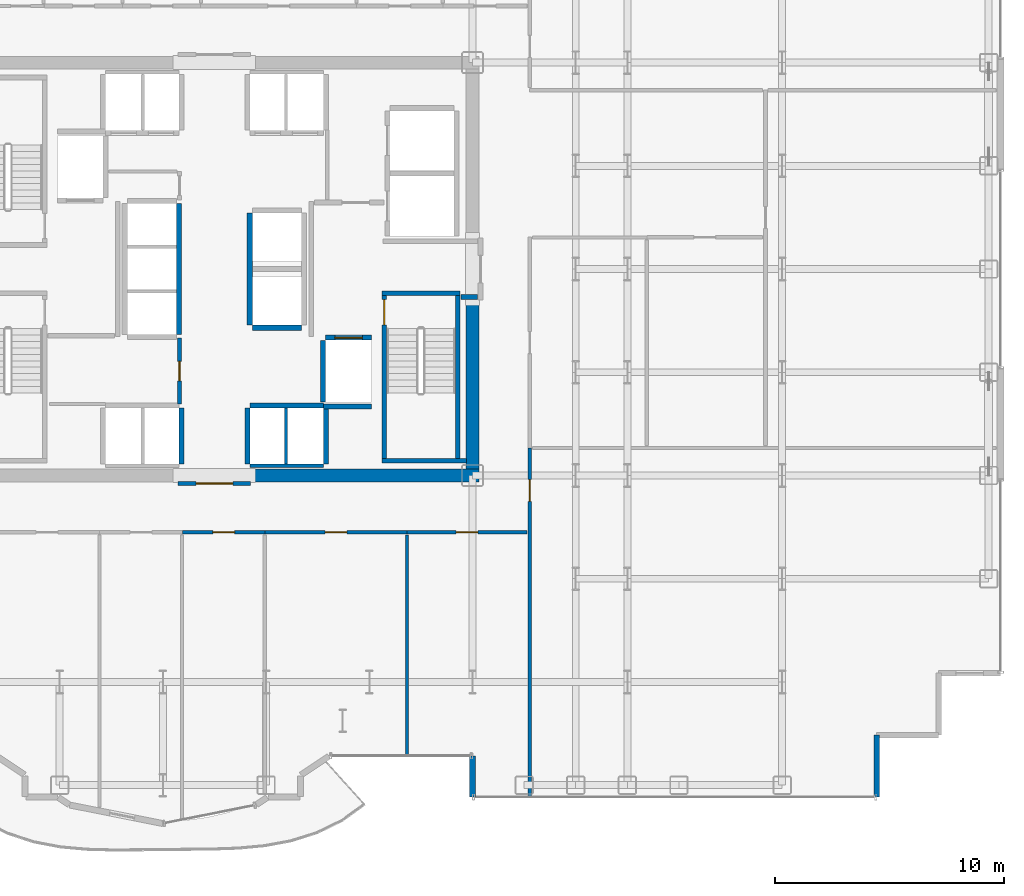
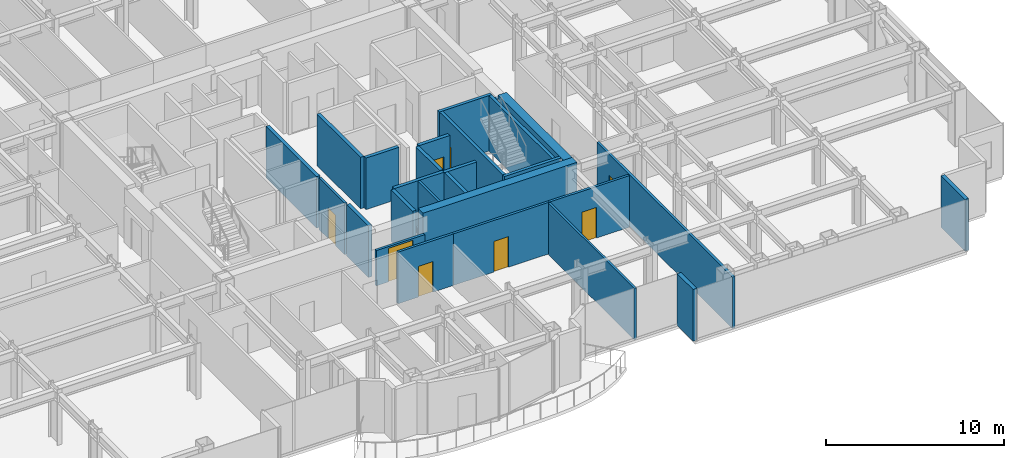
# One storey, part 24 of 29: 28 walls, 8 doors, 8 openings.
"""IFC4 building model written with IfcOpenShell, lengths in metres."""

import ifcopenshell
import ifcopenshell.guid

model = None  # the IFC model being written
_history = None  # IfcOwnerHistory: only IFC2X3 demands one
_inside = {}  # id of a spatial element -> (the spatial element, [elements in it])
_under = {}  # id of a project, library or spatial element -> (it, [spatial elements below it])
_declared = {}  # id of a project -> (the project, [libraries it declares])
_typed = {}  # id of a type object -> (the type object, [elements of that type])
_made_of = {}  # id of a material, layer set ... -> (it, [elements and type objects made of it])


def new_model(schema):
    """Start an empty IFC model of exactly this schema.

    Asked for "IFC4X3", IfcOpenShell would pick the latest addendum, in which some entities
    have other attributes; the version numbers below select the first issue.
    IFC2X3 requires an IfcOwnerHistory on every rooted entity: one is made here for all.
    """
    global model, _history
    if schema == "IFC4X3":
        model = ifcopenshell.file(schema_version=(4, 3, 0, 0))
    else:
        model = ifcopenshell.file(schema=schema)
    _inside.clear()
    _under.clear()
    _declared.clear()
    _typed.clear()
    _made_of.clear()
    _history = None
    if model.schema == "IFC2X3":
        org = make("IfcOrganization", Name="unknown")
        user = make(
            "IfcPersonAndOrganization",
            ThePerson=make("IfcPerson", FamilyName="unknown"),
            TheOrganization=org,
        )
        app = make(
            "IfcApplication",
            ApplicationDeveloper=org,
            Version="unknown",
            ApplicationFullName="unknown",
            ApplicationIdentifier="unknown",
        )
        _history = make(
            "IfcOwnerHistory",
            OwningUser=user,
            OwningApplication=app,
            ChangeAction="ADDED",
            CreationDate=0,
        )
    return model


def make(cls, **values):
    """One entity of the class cls with the attributes given. An attribute that is None is left unset."""
    return model.create_entity(
        cls, **{name: value for name, value in values.items() if value is not None}
    )


def rooted(cls, **values):
    """An entity with a GlobalId (a new one), such as an element, a storey or a relation."""
    return make(cls, GlobalId=ifcopenshell.guid.new(), OwnerHistory=_history, **values)


def si_unit(unit_type, name, prefix=None):
    """IfcSIUnit, for example si_unit("LENGTHUNIT", "METRE", prefix="MILLI")."""
    return make("IfcSIUnit", UnitType=unit_type, Prefix=prefix, Name=name)


def assignment(units):
    """IfcUnitAssignment: the units of a project."""
    return None if units is None else make("IfcUnitAssignment", Units=units)


def point(xyz):
    """IfcCartesianPoint."""
    return None if xyz is None else make("IfcCartesianPoint", Coordinates=xyz)


def direction(xyz):
    """IfcDirection."""
    return None if xyz is None else make("IfcDirection", DirectionRatios=xyz)


def frame(location, z_axis=None, x_axis=None):
    """IfcAxis2Placement3D, a coordinate frame: its origin and axes. An axis left out is left unset."""
    return make(
        "IfcAxis2Placement3D",
        Location=point(location),
        Axis=direction(z_axis),
        RefDirection=direction(x_axis),
    )


def frame_2d(location, x_axis=None):
    """IfcAxis2Placement2D, a coordinate frame in the plane: its origin and x axis."""
    return make(
        "IfcAxis2Placement2D", Location=point(location), RefDirection=direction(x_axis)
    )


def origin():
    """The frame at (0, 0, 0) with its axes left unset."""
    return frame((0.0, 0.0, 0.0))


def place(relative_to, where):
    """IfcLocalPlacement: puts the frame where relative to a parent placement (None: the world)."""
    return make(
        "IfcLocalPlacement", PlacementRelTo=relative_to, RelativePlacement=where
    )


def context(
    kind, dimensions, precision=None, world=None, true_north=None, identifier=None
):
    """IfcGeometricRepresentationContext, for example the 3D "Model" context."""
    return make(
        "IfcGeometricRepresentationContext",
        ContextIdentifier=identifier,
        ContextType=kind,
        CoordinateSpaceDimension=dimensions,
        Precision=precision,
        WorldCoordinateSystem=world,
        TrueNorth=true_north,
    )


def subcontext(parent, identifier, kind, view, scale=None):
    """IfcGeometricRepresentationSubContext, for example "Body" below "Model"."""
    return make(
        "IfcGeometricRepresentationSubContext",
        ContextIdentifier=identifier,
        ContextType=kind,
        ParentContext=parent,
        TargetScale=scale,
        TargetView=view,
    )


def project(units=None, contexts=None):
    """IfcProject with its units and contexts."""
    return rooted(
        "IfcProject",
        Name="project",
        RepresentationContexts=contexts,
        UnitsInContext=assignment(units),
    )


def spatial(cls, under=None, at=None, **own):
    """A site, building, storey or space (cls), placed at a placement, below another one or the project."""
    s = rooted(cls, ObjectPlacement=at, **own)
    if under is not None:
        _under.setdefault(under.id(), (under, []))[1].append(s)
    return s


def profile(cls, at=None, kind="AREA", **sizes):
    """A parametric profile (cls). Its sizes go by their IFC names, for example OverallWidth=200.0."""
    return make(cls, ProfileType=kind, Position=at, **sizes)


def rectangle(**sizes):
    """IfcRectangleProfileDef."""
    return profile("IfcRectangleProfileDef", **sizes)


def extrude(swept, where, along, depth):
    """IfcExtrudedAreaSolid: the profile swept, set in the frame where, extruded along a direction by depth."""
    return make(
        "IfcExtrudedAreaSolid",
        SweptArea=swept,
        Position=where,
        ExtrudedDirection=direction(along),
        Depth=depth,
    )


def shape(context_of_items, identifier, shape_type, items):
    """IfcShapeRepresentation: the items that make up one representation, for example the "Body"."""
    return make(
        "IfcShapeRepresentation",
        ContextOfItems=context_of_items,
        RepresentationIdentifier=identifier,
        RepresentationType=shape_type,
        Items=items,
    )


def source(mapping_origin, context_of_items, identifier, shape_type, items):
    """IfcRepresentationMap: a shape defined once, which mapped items show again and again."""
    return make(
        "IfcRepresentationMap",
        MappingOrigin=mapping_origin,
        MappedRepresentation=shape(context_of_items, identifier, shape_type, items),
    )


def transform(
    local_origin,
    x_axis=None,
    y_axis=None,
    z_axis=None,
    scale=None,
    scale2=None,
    scale3=None,
    uniform=True,
):
    """IfcCartesianTransformationOperator3D, or its non-uniform kind. x_axis, y_axis, z_axis: its Axis1, 2, 3."""
    if uniform:
        return make(
            "IfcCartesianTransformationOperator3D",
            Axis1=direction(x_axis),
            Axis2=direction(y_axis),
            LocalOrigin=point(local_origin),
            Scale=scale,
            Axis3=direction(z_axis),
        )
    return make(
        "IfcCartesianTransformationOperator3DnonUniform",
        Axis1=direction(x_axis),
        Axis2=direction(y_axis),
        LocalOrigin=point(local_origin),
        Scale=scale,
        Axis3=direction(z_axis),
        Scale2=scale2,
        Scale3=scale3,
    )


def mapped(mapping_source, mapping_target):
    """IfcMappedItem: shows the shape of a source again, moved by a transform."""
    return make(
        "IfcMappedItem", MappingSource=mapping_source, MappingTarget=mapping_target
    )


def material(Name=None, Category=None):
    """IfcMaterial."""
    return make("IfcMaterial", Name=Name, Category=Category)


def layer(
    of_material, thickness, ventilated=None, Name=None, Category=None, Priority=None
):
    """IfcMaterialLayer: one layer of a wall or slab, of a material (None: an air gap)."""
    return make(
        "IfcMaterialLayer",
        Material=of_material,
        LayerThickness=thickness,
        IsVentilated=ventilated,
        Name=Name,
        Category=Category,
        Priority=Priority,
    )


def layer_set(layers, Name=None):
    """IfcMaterialLayerSet."""
    return make("IfcMaterialLayerSet", MaterialLayers=layers, LayerSetName=Name)


def made_of(thing, what):
    """Note that an element or type object is made of a material, layer set ...; save() writes the relation."""
    if what is not None:
        _made_of.setdefault(what.id(), (what, []))[1].append(thing)
    return thing


def type_object(cls, material=None, **own):
    """A type object (cls), such as IfcWallType, which elements share."""
    return made_of(rooted(cls, **own), material)


def element(
    cls,
    number,
    at=None,
    inside=None,
    cuts=None,
    type_object=None,
    material=None,
    context=None,
    identifier="Body",
    shape_type=None,
    held_by="IfcProductDefinitionShape",
    body=None,
    shapes=None,
    **own,
):
    """One element of the class cls, such as IfcWall. Its Tag is "e" and its number.

    at: its placement. inside: the storey or other place that contains it. cuts: it is an
    opening in that element (IfcRelVoidsElement). A single representation is given by context,
    identifier, shape_type and body (its items); several are given by shapes. held_by: the class
    of the entity that holds the representations. save() writes the other relations.
    """
    e = rooted(cls, Tag="e%d" % number, ObjectPlacement=at, **own)
    if body is not None:
        shapes = [shape(context, identifier, shape_type, body)]
    if shapes is not None:
        e.Representation = make(held_by, Representations=shapes)
    if inside is not None:
        _inside.setdefault(inside.id(), (inside, []))[1].append(e)
    if cuts is not None:
        rooted(
            "IfcRelVoidsElement", RelatingBuildingElement=cuts, RelatedOpeningElement=e
        )
    if type_object is not None:
        _typed.setdefault(type_object.id(), (type_object, []))[1].append(e)
    return made_of(e, material)


def fill(opening, filler):
    """IfcRelFillsElement: the door or window that sits in an opening."""
    return rooted(
        "IfcRelFillsElement",
        RelatingOpeningElement=opening,
        RelatedBuildingElement=filler,
    )


def aggregate(whole, parts):
    """IfcRelAggregates: a whole, such as a stair, and the parts it consists of."""
    return rooted("IfcRelAggregates", RelatingObject=whole, RelatedObjects=parts)


def save(model, path):
    """Write the relations noted so far, then the file.

    IfcRelAggregates (storeys below a building ...), IfcRelContainedInSpatialStructure (elements
    in a storey), IfcRelDefinesByType, IfcRelAssociatesMaterial and IfcRelDeclares: one each for
    every whole, place, type object, material and project.
    """
    for whole, parts in _under.values():
        aggregate(whole, parts)
    for where, things in _inside.values():
        rooted(
            "IfcRelContainedInSpatialStructure",
            RelatedElements=things,
            RelatingStructure=where,
        )
    for kind, things in _typed.values():
        rooted("IfcRelDefinesByType", RelatedObjects=things, RelatingType=kind)
    for what, things in _made_of.values():
        rooted("IfcRelAssociatesMaterial", RelatedObjects=things, RelatingMaterial=what)
    for by, libraries in _declared.values():
        rooted("IfcRelDeclares", RelatingContext=by, RelatedDefinitions=libraries)
    model.write(path)


model = new_model("IFC4")

# Units and contexts
model_context = context("Model", 3, precision=1e-05, world=origin(), true_north=direction((0.0, 1.0)))
body_context = subcontext(model_context, "Body", "Model", "MODEL_VIEW")
ifc_project = project(units=[si_unit("LENGTHUNIT", "METRE"), si_unit("AREAUNIT", "SQUARE_METRE"), si_unit("VOLUMEUNIT", "CUBIC_METRE"), si_unit("PLANEANGLEUNIT", "RADIAN"), si_unit("MASSUNIT", "GRAM", prefix="KILO")], contexts=[model_context])

# Site, building, storey
site_placement = place(None, origin())
site = spatial("IfcSite", under=ifc_project, at=site_placement, CompositionType="ELEMENT")
building_placement = place(site_placement, origin())
building = spatial("IfcBuilding", under=site, at=building_placement, Name="Nefas-Gora Pilgrimage Tower", CompositionType="ELEMENT")
storey_placement = place(building_placement, frame((0.0, 0.0, 113.60009765625)))
storey = spatial("IfcBuildingStorey", under=building, at=storey_placement, Name="L27", CompositionType="ELEMENT", Elevation=113.60009765625)

# Walls
ifc_material_1 = material(Name="Concrete C60/75", Category="concrete")
ifc_layer_1 = layer(ifc_material_1, 0.550048828125)
ifc_layer_set_1 = layer_set([ifc_layer_1], Name="Concrete C60/75")
wall_type_1 = type_object("IfcWallType", Name="SW-CORE-550", PredefinedType="SHEAR", material=ifc_layer_set_1)
shared_shape_1 = source(origin(), body_context, "Body", "SweptSolid", [
    extrude(rectangle(XDim=9.974853515625, YDim=0.550048828125, at=frame_2d((4.9873046875, 0.0))), origin(), (0.0, 0.0, 1.0), 3.7998046875),
])
wall_1_placement = place(storey_placement, frame((1.550048828125, -9.0, 0.0), z_axis=(0.0, 0.0, 1.0), x_axis=(1.0, 0.0, 0.0)))
element("IfcWall", 1, at=wall_1_placement, inside=storey, type_object=wall_type_1, Name="L27 Core Shear Wall S-East", PredefinedType="SHEAR", context=body_context, shape_type="MappedRepresentation", body=[
    mapped(shared_shape_1, transform((0.0, 0.0, 0.0), x_axis=(1.0, 0.0, 0.0), y_axis=(0.0, 1.0, 0.0), z_axis=(0.0, 0.0, 1.0), scale=1.0)),
])
shared_shape_2 = source(origin(), body_context, "Body", "SweptSolid", [
    extrude(rectangle(XDim=7.375, YDim=0.550048828125, at=frame_2d((3.6875, 0.0))), origin(), (0.0, 0.0, 1.0), 3.7998046875),
])
wall_2_placement = place(storey_placement, frame((11.25, -8.72509765625, 0.0), z_axis=(0.0, 0.0, 1.0), x_axis=(0.0, 1.0, 0.0)))
element("IfcWall", 2, at=wall_2_placement, inside=storey, type_object=wall_type_1, Name="L27 Core Shear Wall E-South", PredefinedType="SHEAR", context=body_context, shape_type="MappedRepresentation", body=[
    mapped(shared_shape_2, transform((0.0, 0.0, 0.0), x_axis=(1.0, 0.0, 0.0), y_axis=(0.0, 1.0, 0.0), z_axis=(0.0, 0.0, 1.0), scale=1.0)),
])
ifc_material_2 = material(Name="Precast concrete C40/50", Category="concrete")
ifc_layer_2 = layer(ifc_material_2, 0.260009765625)
ifc_layer_set_2 = layer_set([ifc_layer_2], Name="Precast concrete C40/50")
wall_type_2 = type_object("IfcWallType", Name="EW-PORTAL-260", PredefinedType="SOLIDWALL", material=ifc_layer_set_2)
shared_shape_3 = source(origin(), body_context, "Body", "SweptSolid", [
    extrude(rectangle(XDim=1.800048828125, YDim=0.260009765625, at=frame_2d((0.89990234375, 0.0))), origin(), (0.0, 0.0, 1.0), 3.5498046875),
])
wall_3_placement = place(storey_placement, frame((11.25, -21.219970703125, 0.0), z_axis=(0.0, 0.0, 1.0), x_axis=(0.0, -1.0, 0.0)))
element("IfcWall", 3, at=wall_3_placement, inside=storey, type_object=wall_type_2, Name="L27 Lobe Shoulder Precast Spandrel Pier 5", PredefinedType="SOLIDWALL", context=body_context, shape_type="MappedRepresentation", body=[
    mapped(shared_shape_3, transform((0.0, 0.0, 0.0), x_axis=(1.0, 0.0, 0.0), y_axis=(0.0, 1.0, 0.0), z_axis=(0.0, 0.0, 1.0), scale=1.0)),
])
ifc_material_3 = material(Name="Precast concrete C45/55", Category="concrete")
ifc_layer_3 = layer(ifc_material_3, 0.239990234375)
ifc_layer_set_3 = layer_set([ifc_layer_3], Name="Precast concrete C45/55")
wall_type_3 = type_object("IfcWallType", Name="EW-SERR-240", PredefinedType="SHEAR", material=ifc_layer_set_3)
shared_shape_4 = source(origin(), body_context, "Body", "SweptSolid", [
    extrude(rectangle(XDim=2.699951171875, YDim=0.239990234375, at=frame_2d((1.35009765625, 0.0))), origin(), (0.0, 0.0, 1.0), 3.5498046875),
])
wall_4_placement = place(storey_placement, frame((28.8701171875, -23.02001953125, 0.0), z_axis=(0.0, 0.0, 1.0), x_axis=(0.0, 1.0, 0.0)))
element("IfcWall", 4, at=wall_4_placement, inside=storey, type_object=wall_type_3, Name="L27 Serrated Corner Shear Pier Wall 6", PredefinedType="SHEAR", context=body_context, shape_type="MappedRepresentation", body=[
    mapped(shared_shape_4, transform((0.0, 0.0, 0.0), x_axis=(1.0, 0.0, 0.0), y_axis=(0.0, 1.0, 0.0), z_axis=(0.0, 0.0, 1.0), scale=1.0)),
])
ifc_material_4 = material(Name="Concrete C45/55", Category="concrete")
ifc_layer_4 = layer(ifc_material_4, 0.199951171875)
ifc_layer_set_4 = layer_set([ifc_layer_4], Name="Concrete C45/55")
wall_type_4 = type_object("IfcWallType", Name="IW-STAIR-200", PredefinedType="SOLIDWALL", material=ifc_layer_set_4)
shared_shape_5 = source(origin(), body_context, "Body", "SweptSolid", [
    extrude(rectangle(XDim=3.39990234375, YDim=0.199951171875, at=frame_2d((1.699951171875, 0.0))), origin(), (0.0, 0.0, 1.0), 3.7998046875),
])
wall_5_placement = place(storey_placement, frame((7.300048828125, -1.050048828125, 0.0), z_axis=(0.0, 0.0, 1.0), x_axis=(1.0, 0.0, 0.0)))
element("IfcWall", 5, at=wall_5_placement, inside=storey, type_object=wall_type_4, Name="L27 Stairwell Shear Wall ST-02-near", PredefinedType="SOLIDWALL", context=body_context, shape_type="MappedRepresentation", body=[
    mapped(shared_shape_5, transform((0.0, 0.0, 0.0), x_axis=(1.0, 0.0, 0.0), y_axis=(0.0, 1.0, 0.0), z_axis=(0.0, 0.0, 1.0), scale=1.0)),
])

# Wall, opening, door
shared_shape_6 = source(origin(), body_context, "Body", "SweptSolid", [
    extrude(rectangle(XDim=7.10009765625, YDim=0.199951171875, at=frame_2d((3.550048828125, 0.0))), origin(), (0.0, 0.0, 1.0), 3.7998046875),
])
wall_6_placement = place(storey_placement, frame((7.39990234375, -1.14990234375, 0.0), z_axis=(0.0, 0.0, 1.0), x_axis=(0.0, -1.0, 0.0)))
wall_6 = element("IfcWall", 6, at=wall_6_placement, inside=storey, type_object=wall_type_4, Name="L27 Stairwell Shear Wall ST-02-left", PredefinedType="SOLIDWALL", context=body_context, shape_type="MappedRepresentation", body=[
    mapped(shared_shape_6, transform((0.0, 0.0, 0.0), x_axis=(1.0, 0.0, 0.0), y_axis=(0.0, 1.0, 0.0), z_axis=(0.0, 0.0, 1.0), scale=1.0)),
])
opening_1_placement = place(wall_6_placement, frame((0.179931640625, 0.0, 0.0)))
opening_1 = element("IfcOpeningElement", 7, at=opening_1_placement, cuts=wall_6, Name="Opening ID-ST1", PredefinedType="OPENING", context=body_context, shape_type="SweptSolid", body=[
    extrude(rectangle(XDim=1.10009765625, YDim=2.14990234375, at=frame_2d((0.550048828125, 1.074951171875))), frame((0.0, 0.10986328125, 0.0), z_axis=(0.0, -1.0, 0.0), x_axis=(1.0, 0.0, 0.0)), (0.0, 0.0, 1.0), 0.219970703125),
])
ifc_material_5 = material(Name="Painted galvanised steel fire stair door", Category="steel")
door_type_1 = type_object("IfcDoorType", Name="DR-INT-STAIR-1100", OperationType="NOTDEFINED", PredefinedType="DOOR", material=ifc_material_5)
shared_shape_7 = source(origin(), body_context, "Body", "SweptSolid", [
    extrude(rectangle(XDim=1.10009765625, YDim=2.14990234375, at=frame_2d((0.550048828125, 1.074951171875))), frame((0.0, 0.02490234375, 0.0), z_axis=(0.0, -1.0, 0.0), x_axis=(1.0, 0.0, 0.0)), (0.0, 0.0, 1.0), 0.050048828125),
])
door_1_placement = place(opening_1_placement, origin())
door_1 = element("IfcDoor", 8, at=door_1_placement, inside=storey, type_object=door_type_1, Name="L27 Protected Exit Stair Door ST-02", OperationType="SINGLE_SWING_RIGHT", OverallHeight=2.14990234375, OverallWidth=1.10009765625, PredefinedType="DOOR", context=body_context, shape_type="MappedRepresentation", body=[
    mapped(shared_shape_7, transform((0.0, 0.0, 0.0), x_axis=(1.0, 0.0, 0.0), y_axis=(0.0, 1.0, 0.0), z_axis=(0.0, 0.0, 1.0), scale=1.0)),
])
fill(opening_1, door_1)

# Walls
wall_7_placement = place(storey_placement, frame((10.60009765625, -1.14990234375, 0.0), z_axis=(0.0, 0.0, 1.0), x_axis=(0.0, -1.0, 0.0)))
element("IfcWall", 9, at=wall_7_placement, inside=storey, type_object=wall_type_4, Name="L27 Stairwell Shear Wall ST-02-right", PredefinedType="SOLIDWALL", context=body_context, shape_type="MappedRepresentation", body=[
    mapped(shared_shape_6, transform((0.0, 0.0, 0.0), x_axis=(1.0, 0.0, 0.0), y_axis=(0.0, 1.0, 0.0), z_axis=(0.0, 0.0, 1.0), scale=1.0)),
])
shared_shape_8 = source(origin(), body_context, "Body", "SweptSolid", [
    extrude(rectangle(XDim=3.679931640625, YDim=0.199951171875, at=frame_2d((1.83984375, 0.0))), origin(), (0.0, 0.0, 1.0), 3.7998046875),
])
wall_8_placement = place(storey_placement, frame((7.300048828125, -8.35009765625, 0.0), z_axis=(0.0, 0.0, 1.0), x_axis=(1.0, 0.0, 0.0)))
element("IfcWall", 10, at=wall_8_placement, inside=storey, type_object=wall_type_4, Name="L27 Stairwell Shear Wall ST-02-far", PredefinedType="SOLIDWALL", context=body_context, shape_type="MappedRepresentation", body=[
    mapped(shared_shape_8, transform((0.0, 0.0, 0.0), x_axis=(1.0, 0.0, 0.0), y_axis=(0.0, 1.0, 0.0), z_axis=(0.0, 0.0, 1.0), scale=1.0)),
])

# Wall, opening, door
ifc_material_6 = material(Name="Concrete C40/50", Category="concrete")
ifc_layer_5 = layer(ifc_material_6, 0.219970703125)
ifc_layer_set_5 = layer_set([ifc_layer_5], Name="Concrete C40/50")
wall_type_5 = type_object("IfcWallType", Name="IW-SHAFT-220", PredefinedType="SOLIDWALL", material=ifc_layer_set_5)
shared_shape_9 = source(origin(), body_context, "Body", "SweptSolid", [
    extrude(rectangle(XDim=2.0, YDim=0.219970703125, at=frame_2d((1.0, 0.0))), origin(), (0.0, 0.0, 1.0), 3.534912109375),
])
wall_9_placement = place(storey_placement, frame((6.85009765625, -2.989990234375, 0.0), z_axis=(0.0, 0.0, 1.0), x_axis=(-1.0, 0.0, 0.0)))
wall_9 = element("IfcWall", 11, at=wall_9_placement, inside=storey, type_object=wall_type_5, Name="L27 Hoistway Wall FFL-02-N", PredefinedType="SOLIDWALL", context=body_context, shape_type="MappedRepresentation", body=[
    mapped(shared_shape_9, transform((0.0, 0.0, 0.0), x_axis=(1.0, 0.0, 0.0), y_axis=(0.0, 1.0, 0.0), z_axis=(0.0, 0.0, 1.0), scale=1.0)),
])
opening_2_placement = place(wall_9_placement, frame((0.39990234375, 0.0, 0.0)))
opening_2 = element("IfcOpeningElement", 12, at=opening_2_placement, cuts=wall_9, Name="Opening LD-FF", PredefinedType="OPENING", context=body_context, shape_type="SweptSolid", body=[
    extrude(rectangle(XDim=1.199951171875, YDim=2.199951171875, at=frame_2d((0.60009765625, 1.10009765625))), frame((0.0, 0.119873046875, 0.0), z_axis=(0.0, -1.0, 0.0), x_axis=(1.0, 0.0, 0.0)), (0.0, 0.0, 1.0), 0.239990234375),
])
ifc_material_7 = material(Name="Fire-service sliding lift landing door")
door_type_2 = type_object("IfcDoorType", Name="DR-LIFT-FSAE-1200", OperationType="SLIDING_TO_LEFT", PredefinedType="DOOR", material=ifc_material_7)
shared_shape_10 = source(origin(), body_context, "Body", "SweptSolid", [
    extrude(rectangle(XDim=1.199951171875, YDim=2.199951171875, at=frame_2d((0.60009765625, 1.10009765625))), frame((0.0, 0.02490234375, 0.0), z_axis=(0.0, -1.0, 0.0), x_axis=(1.0, 0.0, 0.0)), (0.0, 0.0, 1.0), 0.050048828125),
])
door_2_placement = place(opening_2_placement, origin())
door_2 = element("IfcDoor", 13, at=door_2_placement, inside=storey, type_object=door_type_2, Name="L27 Sliding Lift Landing Door FFL-02", OperationType="SLIDING_TO_LEFT", OverallHeight=2.199951171875, OverallWidth=1.199951171875, PredefinedType="DOOR", context=body_context, shape_type="MappedRepresentation", body=[
    mapped(shared_shape_10, transform((0.0, 0.0, 0.0), x_axis=(1.0, 0.0, 0.0), y_axis=(0.0, 1.0, 0.0), z_axis=(0.0, 0.0, 1.0), scale=1.0)),
])
fill(opening_2, door_2)

# Walls
shared_shape_11 = source(origin(), body_context, "Body", "SweptSolid", [
    extrude(rectangle(XDim=2.679931640625, YDim=0.219970703125, at=frame_2d((1.33984375, 0.0))), origin(), (0.0, 0.0, 1.0), 3.534912109375),
])
wall_10_placement = place(storey_placement, frame((4.739990234375, -3.110107421875, 0.0), z_axis=(0.0, 0.0, 1.0), x_axis=(0.0, -1.0, 0.0)))
element("IfcWall", 14, at=wall_10_placement, inside=storey, type_object=wall_type_5, Name="L27 Hoistway Wall FFL-02-W", PredefinedType="SOLIDWALL", context=body_context, shape_type="MappedRepresentation", body=[
    mapped(shared_shape_11, transform((0.0, 0.0, 0.0), x_axis=(1.0, 0.0, 0.0), y_axis=(0.0, 1.0, 0.0), z_axis=(0.0, 0.0, 1.0), scale=1.0)),
])
shared_shape_12 = source(origin(), body_context, "Body", "SweptSolid", [
    extrude(rectangle(XDim=3.199951171875, YDim=0.219970703125, at=frame_2d((1.60009765625, 0.0))), origin(), (0.0, 0.0, 1.0), 3.534912109375),
])
wall_11_placement = place(storey_placement, frame((4.75, -5.93994140625, 0.0), z_axis=(0.0, 0.0, 1.0), x_axis=(-1.0, 0.0, 0.0)))
element("IfcWall", 15, at=wall_11_placement, inside=storey, type_object=wall_type_5, Name="L27 Hoistway Wall PL2-E-N", PredefinedType="SOLIDWALL", context=body_context, shape_type="MappedRepresentation", body=[
    mapped(shared_shape_12, transform((0.0, 0.0, 0.0), x_axis=(1.0, 0.0, 0.0), y_axis=(0.0, 1.0, 0.0), z_axis=(0.0, 0.0, 1.0), scale=1.0)),
])
shared_shape_13 = source(origin(), body_context, "Body", "SweptSolid", [
    extrude(rectangle(XDim=2.429931640625, YDim=0.219970703125, at=frame_2d((1.21484375, 0.0))), origin(), (0.0, 0.0, 1.0), 3.534912109375),
])
for number, where, z_axis, x_axis, name in (
    (16, (-1.43994140625, -8.489990234375, 0.0), (0.0, 0.0, 1.0), (0.0, 1.0, 0.0), "L27 Hoistway Wall PL2-W-E"),
    (17, (1.43994140625, -6.06005859375, 0.0), (0.0, 0.0, 1.0), (0.0, -1.0, 0.0), "L27 Hoistway Wall PL2-E-W"),
    (18, (4.860107421875, -8.489990234375, 0.0), (0.0, 0.0, 1.0), (0.0, 1.0, 0.0), "L27 Hoistway Wall PL2-E-E"),
):
    element("IfcWall", number, at=place(storey_placement, frame(where, z_axis=z_axis, x_axis=x_axis)), inside=storey, type_object=wall_type_5, Name=name, PredefinedType="SOLIDWALL", context=body_context, shape_type="MappedRepresentation", body=[
        mapped(shared_shape_13, transform((0.0, 0.0, 0.0), x_axis=(1.0, 0.0, 0.0), y_axis=(0.0, 1.0, 0.0), z_axis=(0.0, 0.0, 1.0), scale=1.0)),
    ])
ifc_material_8 = material(Name="Gypsum twin-stud partition")
ifc_layer_6 = layer(ifc_material_8, 0.139892578125)
ifc_layer_set_6 = layer_set([ifc_layer_6], Name="Gypsum twin-stud partition")
wall_type_6 = type_object("IfcWallType", Name="IW-UNIT-140", PredefinedType="PARTITIONING", material=ifc_layer_set_6)
shared_shape_14 = source(origin(), body_context, "Body", "SweptSolid", [
    extrude(rectangle(XDim=2.429931640625, YDim=0.139892578125, at=frame_2d((1.21484375, 0.0))), origin(), (0.0, 0.0, 1.0), 3.534912109375),
])
wall_12_placement = place(storey_placement, frame((3.125, -8.489990234375, 0.0), z_axis=(0.0, 0.0, 1.0), x_axis=(0.0, 1.0, 0.0)))
element("IfcWall", 19, at=wall_12_placement, inside=storey, type_object=wall_type_6, Name="L27 Hoistway Wall PL2-E-DIV", PredefinedType="PARTITIONING", context=body_context, shape_type="MappedRepresentation", body=[
    mapped(shared_shape_14, transform((0.0, 0.0, 0.0), x_axis=(1.0, 0.0, 0.0), y_axis=(0.0, 1.0, 0.0), z_axis=(0.0, 0.0, 1.0), scale=1.0)),
])
shared_shape_15 = source(origin(), body_context, "Body", "SweptSolid", [
    extrude(rectangle(XDim=5.7001953125, YDim=0.219970703125, at=frame_2d((2.85009765625, 0.0))), origin(), (0.0, 0.0, 1.0), 3.534912109375),
])
wall_13_placement = place(storey_placement, frame((-1.5400390625, -2.85009765625, 0.0), z_axis=(0.0, 0.0, 1.0), x_axis=(0.0, 1.0, 0.0)))
element("IfcWall", 20, at=wall_13_placement, inside=storey, type_object=wall_type_5, Name="L27 Hoistway Wall PL3-01-03-E", PredefinedType="SOLIDWALL", context=body_context, shape_type="MappedRepresentation", body=[
    mapped(shared_shape_15, transform((0.0, 0.0, 0.0), x_axis=(1.0, 0.0, 0.0), y_axis=(0.0, 1.0, 0.0), z_axis=(0.0, 0.0, 1.0), scale=1.0)),
])
shared_shape_16 = source(origin(), body_context, "Body", "SweptSolid", [
    extrude(rectangle(XDim=2.130126953125, YDim=0.219970703125, at=frame_2d((1.06494140625, 0.0))), origin(), (0.0, 0.0, 1.0), 3.534912109375),
])
wall_14_placement = place(storey_placement, frame((1.659912109375, -2.56005859375, 0.0), z_axis=(0.0, 0.0, 1.0), x_axis=(1.0, 0.0, 0.0)))
element("IfcWall", 21, at=wall_14_placement, inside=storey, type_object=wall_type_5, Name="L27 Hoistway Wall OBS-01-S", PredefinedType="SOLIDWALL", context=body_context, shape_type="MappedRepresentation", body=[
    mapped(shared_shape_16, transform((0.0, 0.0, 0.0), x_axis=(1.0, 0.0, 0.0), y_axis=(0.0, 1.0, 0.0), z_axis=(0.0, 0.0, 1.0), scale=1.0)),
])
shared_shape_17 = source(origin(), body_context, "Body", "SweptSolid", [
    extrude(rectangle(XDim=4.89990234375, YDim=0.219970703125, at=frame_2d((2.449951171875, 0.0))), origin(), (0.0, 0.0, 1.0), 3.534912109375),
])
wall_15_placement = place(storey_placement, frame((1.5400390625, 2.449951171875, 0.0), z_axis=(0.0, 0.0, 1.0), x_axis=(0.0, -1.0, 0.0)))
element("IfcWall", 22, at=wall_15_placement, inside=storey, type_object=wall_type_5, Name="L27 Hoistway Wall OBS-01-02-W", PredefinedType="SOLIDWALL", context=body_context, shape_type="MappedRepresentation", body=[
    mapped(shared_shape_17, transform((0.0, 0.0, 0.0), x_axis=(1.0, 0.0, 0.0), y_axis=(0.0, 1.0, 0.0), z_axis=(0.0, 0.0, 1.0), scale=1.0)),
])
ifc_material_9 = material(Name="Gypsum acoustic stud partition")
ifc_layer_7 = layer(ifc_material_9, 0.159912109375)
ifc_layer_set_7 = layer_set([ifc_layer_7], Name="Gypsum acoustic stud partition")
wall_type_7 = type_object("IfcWallType", Name="IW-CORR-160", PredefinedType="PARTITIONING", material=ifc_layer_set_7)
shared_shape_18 = source(origin(), body_context, "Body", "SweptSolid", [
    extrude(rectangle(XDim=3.199951171875, YDim=0.159912109375, at=frame_2d((1.60009765625, 0.0))), origin(), (0.0, 0.0, 1.0), 2.4248046875),
])
wall_16_placement = place(storey_placement, frame((1.550048828125, -8.580078125, 0.0), z_axis=(0.0, 0.0, 1.0), x_axis=(1.0, 0.0, 0.0)))
element("IfcWall", 23, at=wall_16_placement, inside=storey, type_object=wall_type_7, Name="L27 Hoistway Wall PL2-E-S", PredefinedType="PARTITIONING", context=body_context, shape_type="MappedRepresentation", body=[
    mapped(shared_shape_18, transform((0.0, 0.0, 0.0), x_axis=(1.0, 0.0, 0.0), y_axis=(0.0, 1.0, 0.0), z_axis=(0.0, 0.0, 1.0), scale=1.0)),
])
shared_shape_19 = source(origin(), body_context, "Body", "SweptSolid", [
    extrude(rectangle(XDim=2.09521484375, YDim=0.219970703125, at=frame_2d((1.047607421875, 0.0))), origin(), (0.0, 0.0, 1.0), 3.534912109375),
])
wall_17_placement = place(storey_placement, frame((4.7548828125, -6.0, 0.0), z_axis=(0.0, 0.0, 1.0), x_axis=(1.0, 0.0, 0.0)))
element("IfcWall", 24, at=wall_17_placement, inside=storey, type_object=wall_type_5, Name="L27 Riser Shaft Wall 2", PredefinedType="SOLIDWALL", context=body_context, shape_type="MappedRepresentation", body=[
    mapped(shared_shape_19, transform((0.0, 0.0, 0.0), x_axis=(1.0, 0.0, 0.0), y_axis=(0.0, 1.0, 0.0), z_axis=(0.0, 0.0, 1.0), scale=1.0)),
])
ifc_material_10 = material(Name="Gypsum fire-rated shaftwall")
ifc_layer_8 = layer(ifc_material_10, 0.199951171875)
ifc_layer_set_8 = layer_set([ifc_layer_8], Name="Gypsum fire-rated shaftwall")
wall_type_8 = type_object("IfcWallType", Name="IW-FFLOB-200", PredefinedType="PARTITIONING", material=ifc_layer_set_8)
shared_shape_20 = source(origin(), body_context, "Body", "SweptSolid", [
    extrude(rectangle(XDim=0.719970703125, YDim=0.199951171875, at=frame_2d((0.35986328125, 0.0))), origin(), (0.0, 0.0, 1.0), 3.534912109375),
])
wall_18_placement = place(storey_placement, frame((10.739990234375, -1.219970703125, 0.0), z_axis=(0.0, 0.0, 1.0), x_axis=(1.0, 0.0, 0.0)))
element("IfcWall", 25, at=wall_18_placement, inside=storey, type_object=wall_type_8, Name="L27 FF Lobby East Throat S Wall 12", PredefinedType="PARTITIONING", context=body_context, shape_type="MappedRepresentation", body=[
    mapped(shared_shape_20, transform((0.0, 0.0, 0.0), x_axis=(1.0, 0.0, 0.0), y_axis=(0.0, 1.0, 0.0), z_axis=(0.0, 0.0, 1.0), scale=1.0)),
])

# Wall, opening, door
shared_shape_21 = source(origin(), body_context, "Body", "SweptSolid", [
    extrude(rectangle(XDim=2.8798828125, YDim=0.159912109375, at=frame_2d((1.43994140625, 0.0))), origin(), (0.0, 0.0, 1.0), 3.534912109375),
])
wall_19_placement = place(storey_placement, frame((-1.52001953125, -5.889892578125, 0.0), z_axis=(0.0, 0.0, 1.0), x_axis=(0.0, 1.0, 0.0)))
wall_19 = element("IfcWall", 26, at=wall_19_placement, inside=storey, type_object=wall_type_7, Name="L27 Pilgrim Baggage and Gear Vault Wall 18", PredefinedType="PARTITIONING", context=body_context, shape_type="MappedRepresentation", body=[
    mapped(shared_shape_21, transform((0.0, 0.0, 0.0), x_axis=(1.0, 0.0, 0.0), y_axis=(0.0, 1.0, 0.0), z_axis=(0.0, 0.0, 1.0), scale=1.0)),
])
opening_3_placement = place(wall_19_placement, frame((1.014892578125, 0.0, 0.0)))
opening_3 = element("IfcOpeningElement", 27, at=opening_3_placement, cuts=wall_19, Name="Opening ID-BT1", PredefinedType="OPENING", context=body_context, shape_type="SweptSolid", body=[
    extrude(rectangle(XDim=0.85009765625, YDim=2.10009765625, at=frame_2d((0.425048828125, 1.050048828125))), frame((0.0, 0.08984375, 0.0), z_axis=(0.0, -1.0, 0.0), x_axis=(1.0, 0.0, 0.0)), (0.0, 0.0, 1.0), 0.179931640625),
])
ifc_material_11 = material(Name="Moisture-resistant fire-rated timber door", Category="wood")
door_type_3 = type_object("IfcDoorType", Name="DR-INT-BATH-850", OperationType="NOTDEFINED", PredefinedType="DOOR", material=ifc_material_11)
shared_shape_22 = source(origin(), body_context, "Body", "SweptSolid", [
    extrude(rectangle(XDim=0.85009765625, YDim=2.10009765625, at=frame_2d((0.425048828125, 1.050048828125))), frame((0.0, 0.02490234375, 0.0), z_axis=(0.0, -1.0, 0.0), x_axis=(1.0, 0.0, 0.0)), (0.0, 0.0, 1.0), 0.050048828125),
])
door_3_placement = place(opening_3_placement, origin())
door_3 = element("IfcDoor", 28, at=door_3_placement, inside=storey, type_object=door_type_3, Name="L27 Pilgrim Baggage and Gear Vault Door 7", OperationType="SINGLE_SWING_LEFT", OverallHeight=2.10009765625, OverallWidth=0.85009765625, PredefinedType="DOOR", context=body_context, shape_type="MappedRepresentation", body=[
    mapped(shared_shape_22, transform((0.0, 0.0, 0.0), x_axis=(1.0, 0.0, 0.0), y_axis=(0.0, 1.0, 0.0), z_axis=(0.0, 0.0, 1.0), scale=1.0)),
])
fill(opening_3, door_3)

# Wall
shared_shape_23 = source(origin(), body_context, "Body", "SweptSolid", [
    extrude(rectangle(XDim=9.64990234375, YDim=0.139892578125, at=frame_2d((4.824951171875, 0.0))), origin(), (0.0, 0.0, 1.0), 3.534912109375),
])
wall_20_placement = place(storey_placement, frame((8.39501953125, -21.239990234375, 0.0), z_axis=(0.0, 0.0, 1.0), x_axis=(0.0, 1.0, 0.0)))
element("IfcWall", 29, at=wall_20_placement, inside=storey, type_object=wall_type_6, Name="L27 Pilgrim Contemplative Lounge Partition Wall 63", PredefinedType="PARTITIONING", context=body_context, shape_type="MappedRepresentation", body=[
    mapped(shared_shape_23, transform((0.0, 0.0, 0.0), x_axis=(1.0, 0.0, 0.0), y_axis=(0.0, 1.0, 0.0), z_axis=(0.0, 0.0, 1.0), scale=1.0)),
])

# Wall, opening, door
shared_shape_24 = source(origin(), body_context, "Body", "SweptSolid", [
    extrude(rectangle(XDim=3.60498046875, YDim=0.159912109375, at=frame_2d((1.802490234375, 0.0))), origin(), (0.0, 0.0, 1.0), 3.534912109375),
])
wall_21_placement = place(storey_placement, frame((-1.39990234375, -11.469970703125, 0.0), z_axis=(0.0, 0.0, 1.0), x_axis=(1.0, 0.0, 0.0)))
wall_21 = element("IfcWall", 30, at=wall_21_placement, inside=storey, type_object=wall_type_7, Name="L27 Pilgrim Contemplative Lounge Partition Wall 60", PredefinedType="PARTITIONING", context=body_context, shape_type="MappedRepresentation", body=[
    mapped(shared_shape_24, transform((0.0, 0.0, 0.0), x_axis=(1.0, 0.0, 0.0), y_axis=(0.0, 1.0, 0.0), z_axis=(0.0, 0.0, 1.0), scale=1.0)),
])
opening_4_placement = place(wall_21_placement, frame((1.327392578125, 0.0, 0.0)))
opening_4 = element("IfcOpeningElement", 31, at=opening_4_placement, cuts=wall_21, Name="Opening ID-GR1", PredefinedType="OPENING", context=body_context, shape_type="SweptSolid", body=[
    extrude(rectangle(XDim=0.949951171875, YDim=2.10009765625, at=frame_2d((0.47509765625, 1.050048828125))), frame((0.0, 0.08984375, 0.0), z_axis=(0.0, -1.0, 0.0), x_axis=(1.0, 0.0, 0.0)), (0.0, 0.0, 1.0), 0.179931640625),
])
ifc_material_12 = material(Name="Solid core oak fire-rated guest entrance door")
door_type_4 = type_object("IfcDoorType", Name="DR-INT-GUEST-950", OperationType="NOTDEFINED", PredefinedType="DOOR", material=ifc_material_12)
shared_shape_25 = source(origin(), body_context, "Body", "SweptSolid", [
    extrude(rectangle(XDim=0.949951171875, YDim=2.10009765625, at=frame_2d((0.47509765625, 1.050048828125))), frame((0.0, 0.02490234375, 0.0), z_axis=(0.0, -1.0, 0.0), x_axis=(1.0, 0.0, 0.0)), (0.0, 0.0, 1.0), 0.050048828125),
])
door_4_placement = place(opening_4_placement, origin())
door_4 = element("IfcDoor", 32, at=door_4_placement, inside=storey, type_object=door_type_4, Name="L27 Pilgrim Contemplative Lounge Door 29", OperationType="SINGLE_SWING_LEFT", OverallHeight=2.10009765625, OverallWidth=0.949951171875, PredefinedType="DOOR", context=body_context, shape_type="MappedRepresentation", body=[
    mapped(shared_shape_25, transform((0.0, 0.0, 0.0), x_axis=(1.0, 0.0, 0.0), y_axis=(0.0, 1.0, 0.0), z_axis=(0.0, 0.0, 1.0), scale=1.0)),
])
fill(opening_4, door_4)

shared_shape_26 = source(origin(), body_context, "Body", "SweptSolid", [
    extrude(rectangle(XDim=5.22509765625, YDim=0.159912109375, at=frame_2d((2.612548828125, 0.0))), origin(), (0.0, 0.0, 1.0), 3.534912109375),
])
wall_22_placement = place(storey_placement, frame((8.39501953125, -11.469970703125, 0.0), z_axis=(0.0, 0.0, 1.0), x_axis=(1.0, 0.0, 0.0)))
wall_22 = element("IfcWall", 33, at=wall_22_placement, inside=storey, type_object=wall_type_7, Name="L27 Pilgrim Contemplative Lounge Partition Wall 64", PredefinedType="PARTITIONING", context=body_context, shape_type="MappedRepresentation", body=[
    mapped(shared_shape_26, transform((0.0, 0.0, 0.0), x_axis=(1.0, 0.0, 0.0), y_axis=(0.0, 1.0, 0.0), z_axis=(0.0, 0.0, 1.0), scale=1.0)),
])
opening_5_placement = place(wall_22_placement, frame((2.137451171875, 0.0, 0.0)))
opening_5 = element("IfcOpeningElement", 34, at=opening_5_placement, cuts=wall_22, Name="Opening ID-GR1", PredefinedType="OPENING", context=body_context, shape_type="SweptSolid", body=[
    extrude(rectangle(XDim=0.949951171875, YDim=2.10009765625, at=frame_2d((0.47509765625, 1.050048828125))), frame((0.0, 0.08984375, 0.0), z_axis=(0.0, -1.0, 0.0), x_axis=(1.0, 0.0, 0.0)), (0.0, 0.0, 1.0), 0.179931640625),
])
door_5_placement = place(opening_5_placement, origin())
door_5 = element("IfcDoor", 35, at=door_5_placement, inside=storey, type_object=door_type_4, Name="L27 Pilgrim Contemplative Lounge Door 31", OperationType="SINGLE_SWING_LEFT", OverallHeight=2.10009765625, OverallWidth=0.949951171875, PredefinedType="DOOR", context=body_context, shape_type="MappedRepresentation", body=[
    mapped(shared_shape_25, transform((0.0, 0.0, 0.0), x_axis=(1.0, 0.0, 0.0), y_axis=(0.0, 1.0, 0.0), z_axis=(0.0, 0.0, 1.0), scale=1.0)),
])
fill(opening_5, door_5)

shared_shape_27 = source(origin(), body_context, "Body", "SweptSolid", [
    extrude(rectangle(XDim=3.16015625, YDim=0.159912109375, at=frame_2d((1.580078125, 0.0))), origin(), (0.0, 0.0, 1.0), 2.4248046875),
])
wall_23_placement = place(storey_placement, frame((-1.580078125, -9.35009765625, 0.0), z_axis=(0.0, 0.0, 1.0), x_axis=(1.0, 0.0, 0.0)))
wall_23 = element("IfcWall", 36, at=wall_23_placement, inside=storey, type_object=wall_type_7, Name="L27 Central Lift Lobby South Portal Wall 14", PredefinedType="PARTITIONING", context=body_context, shape_type="MappedRepresentation", body=[
    mapped(shared_shape_27, transform((0.0, 0.0, 0.0), x_axis=(1.0, 0.0, 0.0), y_axis=(0.0, 1.0, 0.0), z_axis=(0.0, 0.0, 1.0), scale=1.0)),
])
opening_6_placement = place(wall_23_placement, frame((0.780029296875, 0.0, 0.0)))
opening_6 = element("IfcOpeningElement", 37, at=opening_6_placement, cuts=wall_23, Name="Opening ID-HL1", PredefinedType="OPENING", context=body_context, shape_type="SweptSolid", body=[
    extrude(rectangle(XDim=1.60009765625, YDim=2.300048828125, at=frame_2d((0.800048828125, 1.14990234375))), frame((0.0, 0.08984375, 0.0), z_axis=(0.0, -1.0, 0.0), x_axis=(1.0, 0.0, 0.0)), (0.0, 0.0, 1.0), 0.179931640625),
])
ifc_material_13 = material(Name="Double acoustic timber assembly hall door", Category="wood")
door_type_5 = type_object("IfcDoorType", Name="DR-INT-HALL-1600", OperationType="DOUBLE_DOOR_SINGLE_SWING", PredefinedType="DOOR", material=ifc_material_13)
shared_shape_28 = source(origin(), body_context, "Body", "SweptSolid", [
    extrude(rectangle(XDim=1.60009765625, YDim=2.300048828125, at=frame_2d((0.800048828125, 1.14990234375))), frame((0.0, 0.02490234375, 0.0), z_axis=(0.0, -1.0, 0.0), x_axis=(1.0, 0.0, 0.0)), (0.0, 0.0, 1.0), 0.050048828125),
])
door_6_placement = place(opening_6_placement, origin())
door_6 = element("IfcDoor", 38, at=door_6_placement, inside=storey, type_object=door_type_5, Name="L27 Central Lift Lobby South Portal Door 5", OperationType="DOUBLE_DOOR_SINGLE_SWING", OverallHeight=2.300048828125, OverallWidth=1.60009765625, PredefinedType="DOOR", context=body_context, shape_type="MappedRepresentation", body=[
    mapped(shared_shape_28, transform((0.0, 0.0, 0.0), x_axis=(1.0, 0.0, 0.0), y_axis=(0.0, 1.0, 0.0), z_axis=(0.0, 0.0, 1.0), scale=1.0)),
])
fill(opening_6, door_6)

shared_shape_29 = source(origin(), body_context, "Body", "SweptSolid", [
    extrude(rectangle(XDim=15.2451171875, YDim=0.159912109375, at=frame_2d((7.62255859375, 0.0))), origin(), (0.0, 0.0, 1.0), 3.534912109375),
])
wall_24_placement = place(storey_placement, frame((13.739990234375, -23.0400390625, 0.0), z_axis=(0.0, 0.0, 1.0), x_axis=(0.0, 1.0, 0.0)))
wall_24 = element("IfcWall", 39, at=wall_24_placement, inside=storey, type_object=wall_type_7, Name="L27 Pilgrim Fellowship Seminar Room Partition Wall 34", PredefinedType="PARTITIONING", context=body_context, shape_type="MappedRepresentation", body=[
    mapped(shared_shape_29, transform((0.0, 0.0, 0.0), x_axis=(1.0, 0.0, 0.0), y_axis=(0.0, 1.0, 0.0), z_axis=(0.0, 0.0, 1.0), scale=1.0)),
])
opening_7_placement = place(wall_24_placement, frame((12.91259765625, 0.0, 0.0)))
opening_7 = element("IfcOpeningElement", 40, at=opening_7_placement, cuts=wall_24, Name="Opening ID-GR1", PredefinedType="OPENING", context=body_context, shape_type="SweptSolid", body=[
    extrude(rectangle(XDim=0.949951171875, YDim=2.10009765625, at=frame_2d((0.47509765625, 1.050048828125))), frame((0.0, 0.08984375, 0.0), z_axis=(0.0, -1.0, 0.0), x_axis=(1.0, 0.0, 0.0)), (0.0, 0.0, 1.0), 0.179931640625),
])
door_7_placement = place(opening_7_placement, origin())
door_7 = element("IfcDoor", 41, at=door_7_placement, inside=storey, type_object=door_type_4, Name="L27 Pilgrim Fellowship Seminar Room Door 15", OperationType="SINGLE_SWING_LEFT", OverallHeight=2.10009765625, OverallWidth=0.949951171875, PredefinedType="DOOR", context=body_context, shape_type="MappedRepresentation", body=[
    mapped(shared_shape_25, transform((0.0, 0.0, 0.0), x_axis=(1.0, 0.0, 0.0), y_axis=(0.0, 1.0, 0.0), z_axis=(0.0, 0.0, 1.0), scale=1.0)),
])
fill(opening_7, door_7)

shared_shape_30 = source(origin(), body_context, "Body", "SweptSolid", [
    extrude(rectangle(XDim=6.2099609375, YDim=0.159912109375, at=frame_2d((3.10498046875, 0.0))), origin(), (0.0, 0.0, 1.0), 3.534912109375),
])
wall_25_placement = place(storey_placement, frame((2.195068359375, -11.469970703125, 0.0), z_axis=(0.0, 0.0, 1.0), x_axis=(1.0, 0.0, 0.0)))
wall_25 = element("IfcWall", 42, at=wall_25_placement, inside=storey, type_object=wall_type_7, Name="L27 Pilgrim Contemplative Lounge Partition Wall 62", PredefinedType="PARTITIONING", context=body_context, shape_type="MappedRepresentation", body=[
    mapped(shared_shape_30, transform((0.0, 0.0, 0.0), x_axis=(1.0, 0.0, 0.0), y_axis=(0.0, 1.0, 0.0), z_axis=(0.0, 0.0, 1.0), scale=1.0)),
])
opening_8_placement = place(wall_25_placement, frame((2.6298828125, 0.0, 0.0)))
opening_8 = element("IfcOpeningElement", 43, at=opening_8_placement, cuts=wall_25, Name="Opening ID-GR1", PredefinedType="OPENING", context=body_context, shape_type="SweptSolid", body=[
    extrude(rectangle(XDim=0.949951171875, YDim=2.10009765625, at=frame_2d((0.47509765625, 1.050048828125))), frame((0.0, 0.08984375, 0.0), z_axis=(0.0, -1.0, 0.0), x_axis=(1.0, 0.0, 0.0)), (0.0, 0.0, 1.0), 0.179931640625),
])
door_8_placement = place(opening_8_placement, origin())
door_8 = element("IfcDoor", 44, at=door_8_placement, inside=storey, type_object=door_type_4, Name="L27 Pilgrim Contemplative Lounge Door 30", OperationType="SINGLE_SWING_RIGHT", OverallHeight=2.10009765625, OverallWidth=0.949951171875, PredefinedType="DOOR", context=body_context, shape_type="MappedRepresentation", body=[
    mapped(shared_shape_25, transform((0.0, 0.0, 0.0), x_axis=(1.0, 0.0, 0.0), y_axis=(0.0, 1.0, 0.0), z_axis=(0.0, 0.0, 1.0), scale=1.0)),
])
fill(opening_8, door_8)

save(model, "model.ifc")
